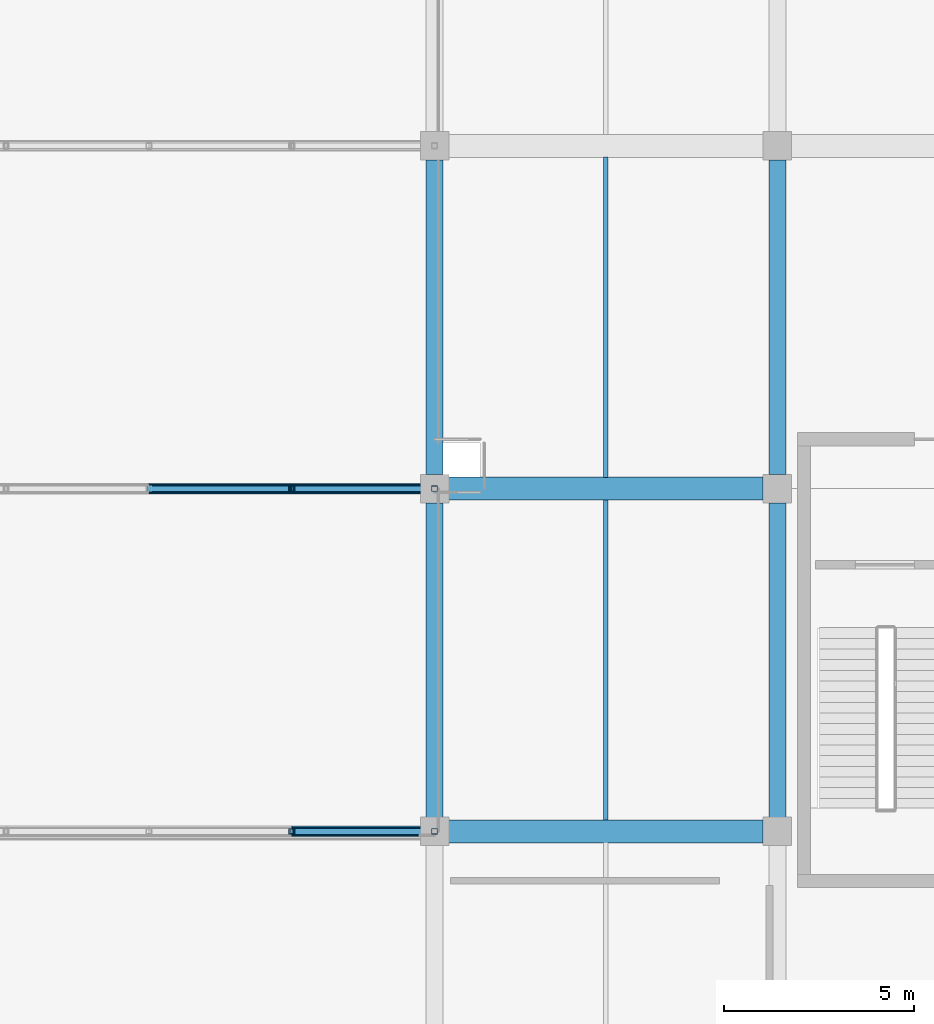
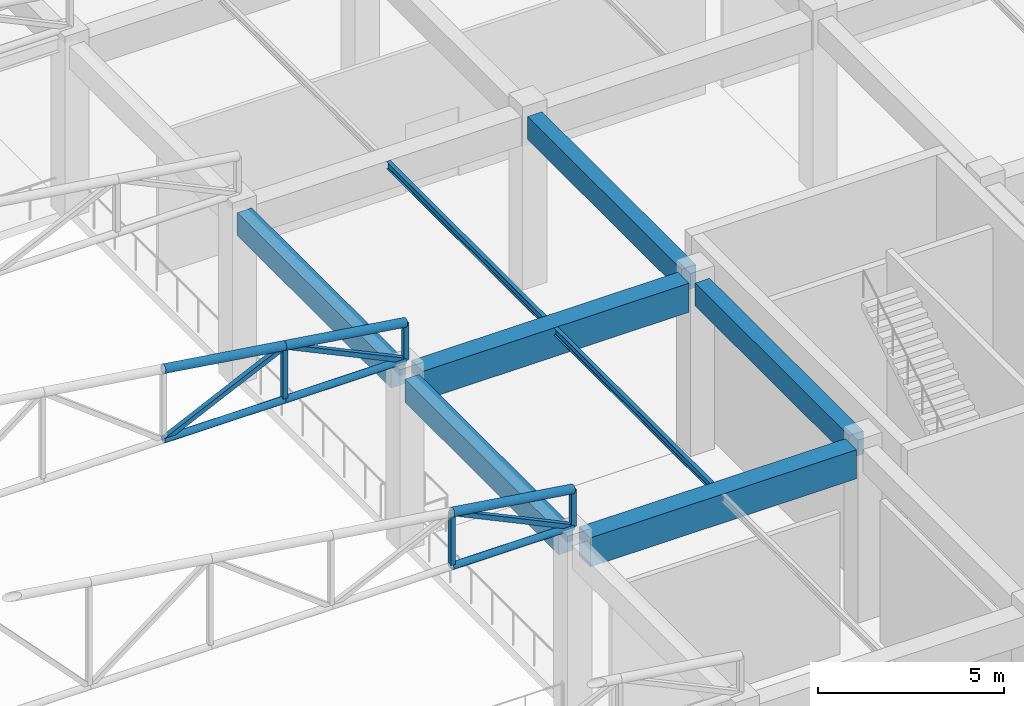
# One storey, part 66 of 223: 13 members, 8 beams.
"""IFC4 building model written with IfcOpenShell, lengths in metres."""

from ifc_helpers import new_model, si_unit, direction, frame, origin, origin_2d, place, context, subcontext, project, spatial, rectangle, hollow_rectangle, hollow_circle, i_section, extrude, material, material_profile, profile_set, type_object, element, save


model = new_model("IFC4")

# Units and contexts
model_context = context("Model", 3, precision=1e-05, world=origin(), true_north=direction((0.0, 1.0)))
body_context = subcontext(model_context, "Body", "Model", "MODEL_VIEW")
ifc_project = project(units=[si_unit("LENGTHUNIT", "METRE"), si_unit("AREAUNIT", "SQUARE_METRE"), si_unit("VOLUMEUNIT", "CUBIC_METRE"), si_unit("PLANEANGLEUNIT", "RADIAN"), si_unit("MASSUNIT", "GRAM", prefix="KILO")], contexts=[model_context])

# Site, building, storey
site_placement = place(None, origin())
site = spatial("IfcSite", under=ifc_project, at=site_placement, CompositionType="ELEMENT")
building_placement = place(site_placement, origin())
building = spatial("IfcBuilding", under=site, at=building_placement, Name="Dornveld Trade and Exhibition Forum", CompositionType="ELEMENT")
storey_placement = place(building_placement, frame((0.0, 0.0, 6.0)))
storey = spatial("IfcBuildingStorey", under=building, at=storey_placement, Name="L01", CompositionType="ELEMENT", Elevation=6.0)

# Beams
ifc_material_1 = material(Name="Steel S355J2", Category="steel")
ifc_material_profile_1 = material_profile(ifc_material_1, i_section(OverallWidth=0.1201171875, OverallDepth=0.239990234375, WebThickness=0.006103515625, FlangeThickness=0.009765625, FilletRadius=0.014892578125, at=origin_2d()), Name="IPE 240")
ifc_profile_set_1 = profile_set([ifc_material_profile_1], Name="Steel S355J2")
beam_type_1 = type_object("IfcBeamType", Name="BM-JOIST-240", PredefinedType="JOIST", material=ifc_profile_set_1)
for number, where, z_axis, x_axis, name in (
    (1, (202.5, 18.297119140625, 5.52001953125), (0.0, 1.0, 0.0), (-1.0, 0.0, 0.0), "L01 secondary joist 1321"),
    (2, (202.5, 27.297119140625, 5.52001953125), (0.0, 1.0, 0.0), (-1.0, 0.0, 0.0), "L01 secondary joist 1322"),
):
    element("IfcBeam", number, at=place(storey_placement, frame(where, z_axis=z_axis, x_axis=x_axis)), inside=storey, type_object=beam_type_1, Name=name, PredefinedType="JOIST", context=body_context, shape_type="SweptSolid", body=[
        extrude(i_section(OverallWidth=0.1201171875, OverallDepth=0.239990234375, WebThickness=0.006103515625, FlangeThickness=0.009765625, FilletRadius=0.014892578125, at=origin_2d()), origin(), (0.0, 0.0, 1.0), 8.40576171875),
    ])
ifc_material_2 = material(Name="Precast concrete C50/60", Category="concrete")
ifc_material_profile_2 = material_profile(ifc_material_2, rectangle(XDim=0.449951171875, YDim=0.75, at=origin_2d()), Name="PC-BM 450x750")
ifc_profile_set_2 = profile_set([ifc_material_profile_2], Name="Precast concrete C50/60")
beam_type_2 = type_object("IfcBeamType", Name="BM-PC-450x750", PredefinedType="BEAM", material=ifc_profile_set_2)
for number, where, z_axis, x_axis, name in (
    (3, (198.0, 18.37109375, 5.264892578125), (0.0, 1.0, 0.0), (-1.0, 0.0, 0.0), "L01 Y-girder 1297"),
    (4, (198.0, 27.37109375, 5.264892578125), (0.0, 1.0, 0.0), (-1.0, 0.0, 0.0), "L01 Y-girder 1298"),
    (5, (207.0, 18.37109375, 5.264892578125), (0.0, 1.0, 0.0), (-1.0, 0.0, 0.0), "L01 Y-girder 1303"),
    (6, (207.0, 27.37109375, 5.264892578125), (0.0, 1.0, 0.0), (-1.0, 0.0, 0.0), "L01 Y-girder 1304"),
):
    element("IfcBeam", number, at=place(storey_placement, frame(where, z_axis=z_axis, x_axis=x_axis)), inside=storey, type_object=beam_type_2, Name=name, PredefinedType="BEAM", context=body_context, shape_type="SweptSolid", body=[
        extrude(rectangle(XDim=0.449951171875, YDim=0.75, at=origin_2d()), origin(), (0.0, 0.0, 1.0), 8.2578125),
    ])
ifc_material_3 = material(Name="Precast concrete C50/60", Category="concrete")
ifc_material_profile_3 = material_profile(ifc_material_3, rectangle(XDim=0.60009765625, YDim=0.949951171875, at=origin_2d()), Name="PC-GIR 600x950")
ifc_profile_set_3 = profile_set([ifc_material_profile_3], Name="Precast concrete C50/60")
beam_type_3 = type_object("IfcBeamType", Name="BM-PC-600x950", PredefinedType="T_BEAM", material=ifc_profile_set_3)
for number, where, z_axis, x_axis, name in (
    (7, (198.37109375, 18.0, 5.1650390625), (1.0, 0.0, 0.0), (0.0, 1.0, 0.0), "L01 X-girder 1282"),
    (8, (198.37109375, 27.0, 5.1650390625), (1.0, 0.0, 0.0), (0.0, 1.0, 0.0), "L01 X-girder 1284"),
):
    element("IfcBeam", number, at=place(storey_placement, frame(where, z_axis=z_axis, x_axis=x_axis)), inside=storey, type_object=beam_type_3, Name=name, PredefinedType="T_BEAM", context=body_context, shape_type="SweptSolid", body=[
        extrude(rectangle(XDim=0.60009765625, YDim=0.949951171875, at=origin_2d()), origin(), (0.0, 0.0, 1.0), 8.2578125),
    ])

# Members
ifc_material_4 = material(Name="Steel S355J2", Category="steel")
ifc_material_profile_4 = material_profile(ifc_material_4, hollow_rectangle(XDim=0.14990234375, YDim=0.14990234375, WallThickness=0.008056640625, at=origin_2d()), Name="SHS 150x150x8")
ifc_profile_set_4 = profile_set([ifc_material_profile_4], Name="Steel S355J2")
member_type_1 = type_object("IfcMemberType", Name="MEM-ARCH-STR", PredefinedType="STRUT", material=ifc_profile_set_4)
member_1_placement = place(storey_placement, frame((194.25, 18.0, 5.97998046875), z_axis=(0.0, 0.0, 1.0), x_axis=(1.0, 0.0, 0.0)))
element("IfcMember", 9, at=member_1_placement, inside=storey, type_object=member_type_1, Name="Congress roof truss 3 post 12", PredefinedType="STRUT", context=body_context, shape_type="SweptSolid", body=[
    extrude(hollow_rectangle(XDim=0.14990234375, YDim=0.14990234375, WallThickness=0.008056640625, at=origin_2d()), origin(), (0.0, 0.0, 1.0), 1.77001953125),
])
member_2_placement = place(storey_placement, frame((198.0, 18.0, 5.97998046875), z_axis=(0.0, 0.0, 1.0), x_axis=(1.0, 0.0, 0.0)))
element("IfcMember", 10, at=member_2_placement, inside=storey, type_object=member_type_1, Name="Congress roof truss 3 east end post", PredefinedType="STRUT", context=body_context, shape_type="SweptSolid", body=[
    extrude(hollow_rectangle(XDim=0.14990234375, YDim=0.14990234375, WallThickness=0.008056640625, at=origin_2d()), origin(), (0.0, 0.0, 1.0), 1.219970703125),
])
member_3_placement = place(storey_placement, frame((194.25, 27.0, 5.97998046875), z_axis=(0.0, 0.0, 1.0), x_axis=(1.0, 0.0, 0.0)))
element("IfcMember", 11, at=member_3_placement, inside=storey, type_object=member_type_1, Name="Congress roof truss 4 post 12", PredefinedType="STRUT", context=body_context, shape_type="SweptSolid", body=[
    extrude(hollow_rectangle(XDim=0.14990234375, YDim=0.14990234375, WallThickness=0.008056640625, at=origin_2d()), origin(), (0.0, 0.0, 1.0), 1.77001953125),
])
member_4_placement = place(storey_placement, frame((198.0, 27.0, 5.97998046875), z_axis=(0.0, 0.0, 1.0), x_axis=(1.0, 0.0, 0.0)))
element("IfcMember", 12, at=member_4_placement, inside=storey, type_object=member_type_1, Name="Congress roof truss 4 east end post", PredefinedType="STRUT", context=body_context, shape_type="SweptSolid", body=[
    extrude(hollow_rectangle(XDim=0.14990234375, YDim=0.14990234375, WallThickness=0.008056640625, at=origin_2d()), origin(), (0.0, 0.0, 1.0), 1.219970703125),
])
ifc_material_5 = material(Name="Steel S355J2", Category="steel")
ifc_material_profile_5 = material_profile(ifc_material_5, hollow_circle(Radius=0.109619140625, WallThickness=0.010009765625, at=origin_2d()), Name="CHS 219.1x10")
ifc_profile_set_5 = profile_set([ifc_material_profile_5], Name="Steel S355J2")
member_type_2 = type_object("IfcMemberType", Name="MEM-CONG-BC", PredefinedType="CHORD", material=ifc_profile_set_5)
for number, where, z_axis, x_axis, name in (
    (13, (194.25, 18.0, 5.97998046875), (1.0, 0.0, 0.0), (0.0, 1.0, 0.0), "Congress roof truss 3 bottom chord 12"),
    (14, (190.5, 27.0, 5.97998046875), (1.0, 0.0, 0.0), (0.0, 1.0, 0.0), "Congress roof truss 4 bottom chord 11"),
    (15, (194.25, 27.0, 5.97998046875), (1.0, 0.0, 0.0), (0.0, 1.0, 0.0), "Congress roof truss 4 bottom chord 12"),
):
    element("IfcMember", number, at=place(storey_placement, frame(where, z_axis=z_axis, x_axis=x_axis)), inside=storey, type_object=member_type_2, Name=name, PredefinedType="CHORD", context=body_context, shape_type="SweptSolid", body=[
        extrude(hollow_circle(Radius=0.109619140625, WallThickness=0.010009765625, at=origin_2d()), origin(), (0.0, 0.0, 1.0), 3.75),
    ])
ifc_material_6 = material(Name="Steel S355J2", Category="steel")
ifc_material_profile_6 = material_profile(ifc_material_6, hollow_circle(Radius=0.136474609375, WallThickness=0.012451171875, at=origin_2d()), Name="CHS 273x12.5")
ifc_profile_set_6 = profile_set([ifc_material_profile_6], Name="Steel S355J2")
member_type_3 = type_object("IfcMemberType", Name="MEM-CONG-TC", PredefinedType="CHORD", material=ifc_profile_set_6)
for number, where, z_axis, x_axis, name in (
    (16, (194.25, 18.0, 7.75), (0.989413064489, 0.0, -0.145126799108), (0.0, 1.0, 0.0), "Congress roof truss 3 top chord 12"),
    (17, (190.5, 27.0, 8.300048828125), (0.989413064489, 0.0, -0.145126799108), (0.0, 1.0, 0.0), "Congress roof truss 4 top chord 11"),
    (18, (194.25, 27.0, 7.75), (0.989413064489, 0.0, -0.145126799108), (0.0, 1.0, 0.0), "Congress roof truss 4 top chord 12"),
):
    element("IfcMember", number, at=place(storey_placement, frame(where, z_axis=z_axis, x_axis=x_axis)), inside=storey, type_object=member_type_3, Name=name, PredefinedType="CHORD", context=body_context, shape_type="SweptSolid", body=[
        extrude(hollow_circle(Radius=0.136474609375, WallThickness=0.012451171875, at=origin_2d()), origin(), (0.0, 0.0, 1.0), 3.7900390625),
    ])
ifc_material_7 = material(Name="Steel S355J2", Category="steel")
ifc_material_profile_7 = material_profile(ifc_material_7, hollow_rectangle(XDim=0.14990234375, YDim=0.14990234375, WallThickness=0.008056640625, at=origin_2d()), Name="SHS 150x150x8")
ifc_profile_set_7 = profile_set([ifc_material_profile_7], Name="Steel S355J2")
member_type_4 = type_object("IfcMemberType", Name="MEM-CONG-WEB", PredefinedType="BRACE", material=ifc_profile_set_7)
for number, where, z_axis, x_axis, name in (
    (19, (198.0, 18.0, 5.97998046875), (-0.904324408902, 0.0, 0.426845831025), (0.0, -1.0, 0.0), "Congress roof truss 3 web 12"),
    (20, (190.5, 27.0, 5.97998046875), (0.904324408902, 0.0, 0.426845831025), (0.0, 1.0, 0.0), "Congress roof truss 4 web 11"),
    (21, (198.0, 27.0, 5.97998046875), (-0.904324408902, 0.0, 0.426845831025), (0.0, -1.0, 0.0), "Congress roof truss 4 web 12"),
):
    element("IfcMember", number, at=place(storey_placement, frame(where, z_axis=z_axis, x_axis=x_axis)), inside=storey, type_object=member_type_4, Name=name, PredefinedType="BRACE", context=body_context, shape_type="SweptSolid", body=[
        extrude(hollow_rectangle(XDim=0.14990234375, YDim=0.14990234375, WallThickness=0.008056640625, at=origin_2d()), origin(), (0.0, 0.0, 1.0), 4.146728515625),
    ])

save(model, "model.ifc")
